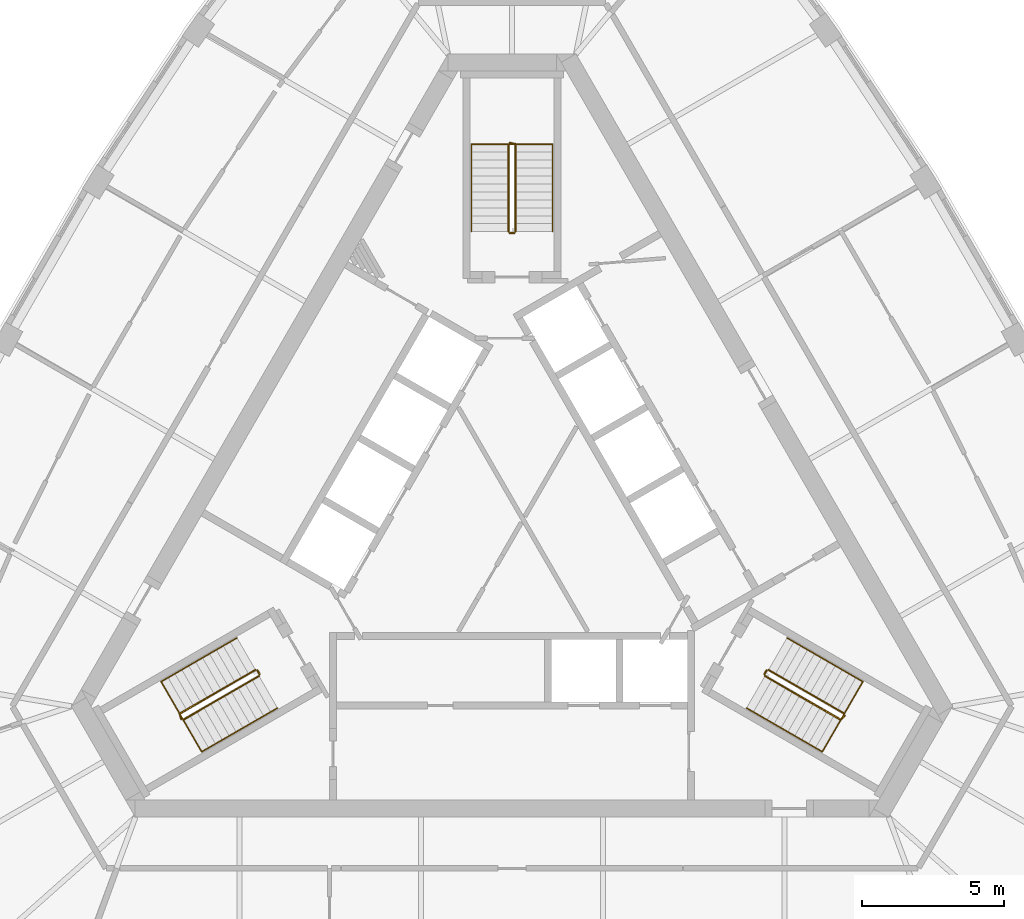
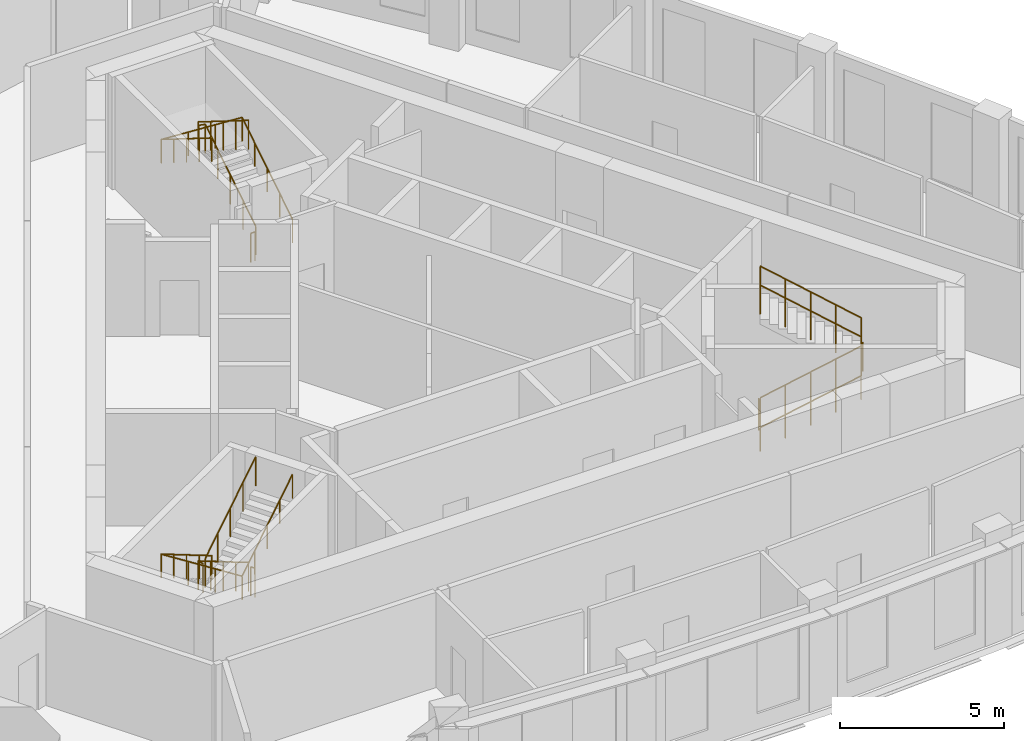
# One storey, part 10 of 10: 12 railings.
"""IFC4 building model written with IfcOpenShell, lengths in metres."""

from ifc_helpers import new_model, si_unit, direction, frame, origin, origin_2d, place, context, subcontext, project, spatial, circle, extrude, material, type_object, element, save


model = new_model("IFC4")

# Units and contexts
model_context = context("Model", 3, precision=1e-05, world=origin(), true_north=direction((0.0, 1.0)))
body_context = subcontext(model_context, "Body", "Model", "MODEL_VIEW")
ifc_project = project(units=[si_unit("LENGTHUNIT", "METRE"), si_unit("AREAUNIT", "SQUARE_METRE"), si_unit("VOLUMEUNIT", "CUBIC_METRE"), si_unit("PLANEANGLEUNIT", "RADIAN"), si_unit("MASSUNIT", "GRAM", prefix="KILO")], contexts=[model_context])

# Site, building, storey
site_placement = place(None, origin())
site = spatial("IfcSite", under=ifc_project, at=site_placement, CompositionType="ELEMENT")
building_placement = place(site_placement, origin())
building = spatial("IfcBuilding", under=site, at=building_placement, Name="Mestral Congress Tower", CompositionType="ELEMENT")
storey_placement = place(building_placement, frame((0.0, 0.0, 279.60009765625)))
storey = spatial("IfcBuildingStorey", under=building, at=storey_placement, Name="L65", CompositionType="ELEMENT", Elevation=279.60009765625)

# Railings
ifc_material_1 = material(Name="Steel balustrade", Category="steel")
railing_type_1 = type_object("IfcRailingType", Name="Stair guard 1100", PredefinedType="GUARDRAIL", material=ifc_material_1)
railing_1_placement = place(storey_placement, frame((8.90087890625, -5.283203125, 0.1748046875)))
element("IfcRailing", 1, at=railing_1_placement, inside=storey, type_object=railing_type_1, Name="L65 ST1 stair guard 1", PredefinedType="GUARDRAIL", context=body_context, shape_type="SweptSolid", body=[
    extrude(circle(Radius=0.02392578125, at=origin_2d()), frame((0.0, 0.0, 1.076171875), z_axis=(0.734364028329, -0.424015404183, 0.530019255228), x_axis=(0.500026652407, 0.866010015463, 0.0)), (0.0, 0.0, 1.0), 3.632080078125),
    extrude(circle(Radius=0.02392578125, at=origin_2d()), frame((2.667236328125, -1.5400390625, 3.0009765625), z_axis=(0.695164929852, 0.718850276695, 0.0), x_axis=(-0.718850276695, 0.695164929852, 0.0)), (0.0, 0.0, 1.0), 0.2060546875),
    extrude(circle(Radius=0.02099609375, at=origin_2d()), origin(), (0.0, 0.0, 1.0), 1.052001953125),
    extrude(circle(Radius=0.02099609375, at=origin_2d()), frame((0.666748046875, -0.385009765625, 0.481201171875)), (0.0, 0.0, 1.0), 1.052001953125),
    extrude(circle(Radius=0.02099609375, at=origin_2d()), frame((1.33349609375, -0.77001953125, 0.96240234375)), (0.0, 0.0, 1.0), 1.052001953125),
    extrude(circle(Radius=0.02099609375, at=origin_2d()), frame((2.00048828125, -1.155029296875, 1.44384765625)), (0.0, 0.0, 1.0), 1.052001953125),
    extrude(circle(Radius=0.02099609375, at=origin_2d()), frame((2.667236328125, -1.5400390625, 1.925048828125)), (0.0, 0.0, 1.0), 1.052001953125),
    extrude(circle(Radius=0.02099609375, at=origin_2d()), frame((2.810546875, -1.391845703125, 1.925048828125)), (0.0, 0.0, 1.0), 1.052001953125),
])
railing_2_placement = place(storey_placement, frame((11.693115234375, -6.606689453125, 2.27490234375)))
element("IfcRailing", 2, at=railing_2_placement, inside=storey, type_object=railing_type_1, Name="L65 ST1 stair guard 2", PredefinedType="GUARDRAIL", context=body_context, shape_type="SweptSolid", body=[
    extrude(circle(Radius=0.02392578125, at=origin_2d()), frame((0.0, 0.0, 1.076171875), z_axis=(-0.734364028329, 0.424015404183, 0.530019255228), x_axis=(-0.500026652407, -0.866010015463, 0.0)), (0.0, 0.0, 1.0), 3.632080078125),
    extrude(circle(Radius=0.02099609375, at=origin_2d()), origin(), (0.0, 0.0, 1.0), 1.052001953125),
    extrude(circle(Radius=0.02099609375, at=origin_2d()), frame((-0.666748046875, 0.385009765625, 0.481201171875)), (0.0, 0.0, 1.0), 1.052001953125),
    extrude(circle(Radius=0.02099609375, at=origin_2d()), frame((-1.33349609375, 0.77001953125, 0.96240234375)), (0.0, 0.0, 1.0), 1.052001953125),
    extrude(circle(Radius=0.02099609375, at=origin_2d()), frame((-2.00048828125, 1.155029296875, 1.44384765625)), (0.0, 0.0, 1.0), 1.052001953125),
    extrude(circle(Radius=0.02099609375, at=origin_2d()), frame((-2.667236328125, 1.5400390625, 1.925048828125)), (0.0, 0.0, 1.0), 1.052001953125),
])
railing_3_placement = place(storey_placement, frame((8.882568359375, -5.21484375, 0.0)))
element("IfcRailing", 3, at=railing_3_placement, inside=storey, type_object=railing_type_1, Name="L65 ST1 stair guard 3", PredefinedType="GUARDRAIL", context=body_context, shape_type="SweptSolid", body=[
    extrude(circle(Radius=0.02392578125, at=origin_2d()), frame((0.0, 0.0, 1.076171875), z_axis=(0.499816412211, 0.866131372301, 0.0), x_axis=(-0.866131372301, 0.499816412211, 0.0)), (0.0, 0.0, 1.0), 0.14990234375),
    extrude(circle(Radius=0.02099609375, at=origin_2d()), origin(), (0.0, 0.0, 1.0), 1.052001953125),
    extrude(circle(Radius=0.02099609375, at=origin_2d()), frame((0.074951171875, 0.1298828125, 0.0)), (0.0, 0.0, 1.0), 1.052001953125),
])
railing_4_placement = place(storey_placement, frame((0.125, 10.35009765625, 0.1748046875)))
element("IfcRailing", 4, at=railing_4_placement, inside=storey, type_object=railing_type_1, Name="L65 ST2 stair guard 1", PredefinedType="GUARDRAIL", context=body_context, shape_type="SweptSolid", body=[
    extrude(circle(Radius=0.02392578125, at=origin_2d()), frame((0.0, 0.0, 1.076171875), z_axis=(0.0, 0.847979421464, 0.530029150871), x_axis=(-1.0, 0.0, 0.0)), (0.0, 0.0, 1.0), 3.632080078125),
    extrude(circle(Radius=0.02392578125, at=origin_2d()), frame((0.0, 3.079833984375, 3.0009765625), z_axis=(-0.970072785993, 0.242814311512, 0.0), x_axis=(-0.242814311512, -0.970072785993, 0.0)), (0.0, 0.0, 1.0), 0.2060546875),
    extrude(circle(Radius=0.02099609375, at=origin_2d()), origin(), (0.0, 0.0, 1.0), 1.052001953125),
    extrude(circle(Radius=0.02099609375, at=origin_2d()), frame((0.0, 0.77001953125, 0.481201171875)), (0.0, 0.0, 1.0), 1.052001953125),
    extrude(circle(Radius=0.02099609375, at=origin_2d()), frame((0.0, 1.5400390625, 0.96240234375)), (0.0, 0.0, 1.0), 1.052001953125),
    extrude(circle(Radius=0.02099609375, at=origin_2d()), frame((0.0, 2.309814453125, 1.44384765625)), (0.0, 0.0, 1.0), 1.052001953125),
    extrude(circle(Radius=0.02099609375, at=origin_2d()), frame((0.0, 3.079833984375, 1.925048828125)), (0.0, 0.0, 1.0), 1.052001953125),
    extrude(circle(Radius=0.02099609375, at=origin_2d()), frame((-0.199951171875, 3.1298828125, 1.925048828125)), (0.0, 0.0, 1.0), 1.052001953125),
])
railing_5_placement = place(storey_placement, frame((-0.125, 13.429931640625, 2.27490234375)))
element("IfcRailing", 5, at=railing_5_placement, inside=storey, type_object=railing_type_1, Name="L65 ST2 stair guard 2", PredefinedType="GUARDRAIL", context=body_context, shape_type="SweptSolid", body=[
    extrude(circle(Radius=0.02392578125, at=origin_2d()), frame((0.0, 0.0, 1.076171875), z_axis=(0.0, -0.847979421464, 0.530029150871), x_axis=(1.0, 0.0, 0.0)), (0.0, 0.0, 1.0), 3.632080078125),
    extrude(circle(Radius=0.02099609375, at=origin_2d()), origin(), (0.0, 0.0, 1.0), 1.052001953125),
    extrude(circle(Radius=0.02099609375, at=origin_2d()), frame((0.0, -0.77001953125, 0.481201171875)), (0.0, 0.0, 1.0), 1.052001953125),
    extrude(circle(Radius=0.02099609375, at=origin_2d()), frame((0.0, -1.5400390625, 0.96240234375)), (0.0, 0.0, 1.0), 1.052001953125),
    extrude(circle(Radius=0.02099609375, at=origin_2d()), frame((0.0, -2.309814453125, 1.44384765625)), (0.0, 0.0, 1.0), 1.052001953125),
    extrude(circle(Radius=0.02099609375, at=origin_2d()), frame((0.0, -3.079833984375, 1.925048828125)), (0.0, 0.0, 1.0), 1.052001953125),
])
railing_6_placement = place(storey_placement, frame((0.074951171875, 10.300048828125, 0.0)))
element("IfcRailing", 6, at=railing_6_placement, inside=storey, type_object=railing_type_1, Name="L65 ST2 stair guard 3", PredefinedType="GUARDRAIL", context=body_context, shape_type="SweptSolid", body=[
    extrude(circle(Radius=0.02392578125, at=origin_2d()), frame((0.0, 0.0, 1.076171875), z_axis=(-1.0, 0.0, 0.0), x_axis=(0.0, -1.0, 0.0)), (0.0, 0.0, 1.0), 0.14990234375),
    extrude(circle(Radius=0.02099609375, at=origin_2d()), origin(), (0.0, 0.0, 1.0), 1.052001953125),
    extrude(circle(Radius=0.02099609375, at=origin_2d()), frame((-0.14990234375, 0.0, 0.0)), (0.0, 0.0, 1.0), 1.052001953125),
])
railing_7_placement = place(storey_placement, frame((-9.02587890625, -5.066650390625, 0.1748046875)))
element("IfcRailing", 7, at=railing_7_placement, inside=storey, type_object=railing_type_1, Name="L65 ST3 stair guard 1", PredefinedType="GUARDRAIL", context=body_context, shape_type="SweptSolid", body=[
    extrude(circle(Radius=0.02392578125, at=origin_2d()), frame((0.0, 0.0, 1.076171875), z_axis=(-0.734364028329, -0.424015404183, 0.530019255228), x_axis=(0.500026652407, -0.866010015463, 0.0)), (0.0, 0.0, 1.0), 3.632080078125),
    extrude(circle(Radius=0.02392578125, at=origin_2d()), frame((-2.667236328125, -1.5400390625, 3.0009765625), z_axis=(0.274721127897, -0.961523947641, 0.0), x_axis=(0.961523947641, 0.274721127897, 0.0)), (0.0, 0.0, 1.0), 0.2060546875),
    extrude(circle(Radius=0.02099609375, at=origin_2d()), origin(), (0.0, 0.0, 1.0), 1.052001953125),
    extrude(circle(Radius=0.02099609375, at=origin_2d()), frame((-0.666748046875, -0.385009765625, 0.481201171875)), (0.0, 0.0, 1.0), 1.052001953125),
    extrude(circle(Radius=0.02099609375, at=origin_2d()), frame((-1.33349609375, -0.77001953125, 0.96240234375)), (0.0, 0.0, 1.0), 1.052001953125),
    extrude(circle(Radius=0.02099609375, at=origin_2d()), frame((-2.00048828125, -1.155029296875, 1.44384765625)), (0.0, 0.0, 1.0), 1.052001953125),
    extrude(circle(Radius=0.02099609375, at=origin_2d()), frame((-2.667236328125, -1.5400390625, 1.925048828125)), (0.0, 0.0, 1.0), 1.052001953125),
    extrude(circle(Radius=0.02099609375, at=origin_2d()), frame((-2.610595703125, -1.73828125, 1.925048828125)), (0.0, 0.0, 1.0), 1.052001953125),
])
railing_8_placement = place(storey_placement, frame((-11.568115234375, -6.8232421875, 2.27490234375)))
element("IfcRailing", 8, at=railing_8_placement, inside=storey, type_object=railing_type_1, Name="L65 ST3 stair guard 2", PredefinedType="GUARDRAIL", context=body_context, shape_type="SweptSolid", body=[
    extrude(circle(Radius=0.02392578125, at=origin_2d()), frame((0.0, 0.0, 1.076171875), z_axis=(0.734364028329, 0.424015404183, 0.530019255228), x_axis=(-0.500026652407, 0.866010015463, 0.0)), (0.0, 0.0, 1.0), 3.632080078125),
    extrude(circle(Radius=0.02099609375, at=origin_2d()), origin(), (0.0, 0.0, 1.0), 1.052001953125),
    extrude(circle(Radius=0.02099609375, at=origin_2d()), frame((0.666748046875, 0.385009765625, 0.481201171875)), (0.0, 0.0, 1.0), 1.052001953125),
    extrude(circle(Radius=0.02099609375, at=origin_2d()), frame((1.33349609375, 0.77001953125, 0.96240234375)), (0.0, 0.0, 1.0), 1.052001953125),
    extrude(circle(Radius=0.02099609375, at=origin_2d()), frame((2.00048828125, 1.155029296875, 1.44384765625)), (0.0, 0.0, 1.0), 1.052001953125),
    extrude(circle(Radius=0.02099609375, at=origin_2d()), frame((2.667236328125, 1.5400390625, 1.925048828125)), (0.0, 0.0, 1.0), 1.052001953125),
])
railing_9_placement = place(storey_placement, frame((-8.95751953125, -5.0849609375, 0.0)))
element("IfcRailing", 9, at=railing_9_placement, inside=storey, type_object=railing_type_1, Name="L65 ST3 stair guard 3", PredefinedType="GUARDRAIL", context=body_context, shape_type="SweptSolid", body=[
    extrude(circle(Radius=0.02392578125, at=origin_2d()), frame((0.0, 0.0, 1.076171875), z_axis=(0.499816412211, -0.866131372301, 0.0), x_axis=(0.866131372301, 0.499816412211, 0.0)), (0.0, 0.0, 1.0), 0.14990234375),
    extrude(circle(Radius=0.02099609375, at=origin_2d()), origin(), (0.0, 0.0, 1.0), 1.052001953125),
    extrude(circle(Radius=0.02099609375, at=origin_2d()), frame((0.074951171875, -0.1298828125, 0.0)), (0.0, 0.0, 1.0), 1.052001953125),
])
ifc_material_2 = material(Name="Steel handrail", Category="steel")
railing_type_2 = type_object("IfcRailingType", Name="Stair handrail 900", PredefinedType="HANDRAIL", material=ifc_material_2)
railing_10_placement = place(storey_placement, frame((8.2509765625, -6.4091796875, 0.1748046875)))
element("IfcRailing", 10, at=railing_10_placement, inside=storey, type_object=railing_type_2, Name="L65 ST1 stair handrail 1", PredefinedType="HANDRAIL", context=body_context, shape_type="SweptSolid", body=[
    extrude(circle(Radius=0.02392578125, at=origin_2d()), frame((0.0, 0.0, 0.8759765625), z_axis=(0.734384958227, -0.423960268333, 0.530034361155), x_axis=(0.499967199496, 0.866044340336, 0.0)), (0.0, 0.0, 1.0), 3.6318359375),
    extrude(circle(Radius=0.02392578125, at=origin_2d()), frame((2.667236328125, -1.539794921875, 2.80078125), z_axis=(0.499095769026, 0.864375386171, 0.061307463833), x_axis=(-0.866004402611, 0.500036373335, 0.0)), (0.0, 0.0, 1.0), 2.855224609375),
    extrude(circle(Radius=0.02392578125, at=origin_2d()), frame((4.09228515625, 0.92822265625, 2.97607421875), z_axis=(-0.734394994316, 0.423994474112, 0.52999309264), x_axis=(-0.499992328818, -0.866029832698, 0.0)), (0.0, 0.0, 1.0), 3.63232421875),
    extrude(circle(Radius=0.02099609375, at=origin_2d()), origin(), (0.0, 0.0, 1.0), 0.851806640625),
    extrude(circle(Radius=0.02099609375, at=origin_2d()), frame((0.666748046875, -0.385009765625, 0.481201171875)), (0.0, 0.0, 1.0), 0.851806640625),
    extrude(circle(Radius=0.02099609375, at=origin_2d()), frame((1.33349609375, -0.77001953125, 0.96240234375)), (0.0, 0.0, 1.0), 0.851806640625),
    extrude(circle(Radius=0.02099609375, at=origin_2d()), frame((2.00048828125, -1.15478515625, 1.44384765625)), (0.0, 0.0, 1.0), 0.851806640625),
    extrude(circle(Radius=0.02099609375, at=origin_2d()), frame((2.667236328125, -1.539794921875, 1.925048828125)), (0.0, 0.0, 1.0), 0.851806640625),
    extrude(circle(Radius=0.02099609375, at=origin_2d()), frame((3.142333984375, -0.717041015625, 1.9833984375)), (0.0, 0.0, 1.0), 0.851806640625),
    extrude(circle(Radius=0.02099609375, at=origin_2d()), frame((3.6171875, 0.10546875, 2.041748046875)), (0.0, 0.0, 1.0), 0.851806640625),
    extrude(circle(Radius=0.02099609375, at=origin_2d()), frame((4.09228515625, 0.92822265625, 2.10009765625)), (0.0, 0.0, 1.0), 0.851806640625),
    extrude(circle(Radius=0.02099609375, at=origin_2d()), frame((3.42529296875, 1.313232421875, 2.581298828125)), (0.0, 0.0, 1.0), 0.851806640625),
    extrude(circle(Radius=0.02099609375, at=origin_2d()), frame((2.758544921875, 1.6982421875, 3.0625)), (0.0, 0.0, 1.0), 0.851806640625),
    extrude(circle(Radius=0.02099609375, at=origin_2d()), frame((2.091796875, 2.083251953125, 3.5439453125)), (0.0, 0.0, 1.0), 0.851806640625),
    extrude(circle(Radius=0.02099609375, at=origin_2d()), frame((1.4248046875, 2.46826171875, 4.025146484375)), (0.0, 0.0, 1.0), 0.851806640625),
])
railing_11_placement = place(storey_placement, frame((1.425048828125, 10.35009765625, 0.1748046875)))
element("IfcRailing", 11, at=railing_11_placement, inside=storey, type_object=railing_type_2, Name="L65 ST2 stair handrail 1", PredefinedType="HANDRAIL", context=body_context, shape_type="SweptSolid", body=[
    extrude(circle(Radius=0.02392578125, at=origin_2d()), frame((0.0, 0.0, 0.8759765625), z_axis=(0.0, 0.847979421464, 0.530029150871), x_axis=(-1.0, 0.0, 0.0)), (0.0, 0.0, 1.0), 3.632080078125),
    extrude(circle(Radius=0.02392578125, at=origin_2d()), frame((0.0, 3.079833984375, 2.80078125), z_axis=(-0.998119201106, 0.0, 0.061303021003), x_axis=(0.0, -1.0, 0.0)), (0.0, 0.0, 1.0), 2.85546875),
    extrude(circle(Radius=0.02392578125, at=origin_2d()), frame((-2.85009765625, 3.079833984375, 2.97607421875), z_axis=(0.0, -0.847979421464, 0.530029150871), x_axis=(1.0, 0.0, 0.0)), (0.0, 0.0, 1.0), 3.632080078125),
    extrude(circle(Radius=0.02099609375, at=origin_2d()), origin(), (0.0, 0.0, 1.0), 0.851806640625),
    extrude(circle(Radius=0.02099609375, at=origin_2d()), frame((0.0, 0.77001953125, 0.481201171875)), (0.0, 0.0, 1.0), 0.851806640625),
    extrude(circle(Radius=0.02099609375, at=origin_2d()), frame((0.0, 1.5400390625, 0.96240234375)), (0.0, 0.0, 1.0), 0.851806640625),
    extrude(circle(Radius=0.02099609375, at=origin_2d()), frame((0.0, 2.309814453125, 1.44384765625)), (0.0, 0.0, 1.0), 0.851806640625),
    extrude(circle(Radius=0.02099609375, at=origin_2d()), frame((0.0, 3.079833984375, 1.925048828125)), (0.0, 0.0, 1.0), 0.851806640625),
    extrude(circle(Radius=0.02099609375, at=origin_2d()), frame((-0.949951171875, 3.079833984375, 1.9833984375)), (0.0, 0.0, 1.0), 0.851806640625),
    extrude(circle(Radius=0.02099609375, at=origin_2d()), frame((-1.900146484375, 3.079833984375, 2.041748046875)), (0.0, 0.0, 1.0), 0.851806640625),
    extrude(circle(Radius=0.02099609375, at=origin_2d()), frame((-2.85009765625, 3.079833984375, 2.10009765625)), (0.0, 0.0, 1.0), 0.851806640625),
    extrude(circle(Radius=0.02099609375, at=origin_2d()), frame((-2.85009765625, 2.309814453125, 2.581298828125)), (0.0, 0.0, 1.0), 0.851806640625),
    extrude(circle(Radius=0.02099609375, at=origin_2d()), frame((-2.85009765625, 1.5400390625, 3.0625)), (0.0, 0.0, 1.0), 0.851806640625),
    extrude(circle(Radius=0.02099609375, at=origin_2d()), frame((-2.85009765625, 0.77001953125, 3.5439453125)), (0.0, 0.0, 1.0), 0.851806640625),
    extrude(circle(Radius=0.02099609375, at=origin_2d()), frame((-2.85009765625, 0.0, 4.025146484375)), (0.0, 0.0, 1.0), 0.851806640625),
])
railing_12_placement = place(storey_placement, frame((-9.67578125, -3.94091796875, 0.1748046875)))
element("IfcRailing", 12, at=railing_12_placement, inside=storey, type_object=railing_type_2, Name="L65 ST3 stair handrail 1", PredefinedType="HANDRAIL", context=body_context, shape_type="SweptSolid", body=[
    extrude(circle(Radius=0.02392578125, at=origin_2d()), frame((0.0, 0.0, 0.8759765625), z_axis=(-0.734394994316, -0.423994474112, 0.52999309264), x_axis=(0.499992328818, -0.866029832698, 0.0)), (0.0, 0.0, 1.0), 3.63232421875),
    extrude(circle(Radius=0.02392578125, at=origin_2d()), frame((-2.66748046875, -1.5400390625, 2.80078125), z_axis=(0.499095769026, -0.864375386171, 0.061307463833), x_axis=(0.866004402611, 0.500036373335, 0.0)), (0.0, 0.0, 1.0), 2.855224609375),
    extrude(circle(Radius=0.02392578125, at=origin_2d()), frame((-1.242431640625, -4.008056640625, 2.97607421875), z_axis=(0.734384958227, 0.423960268333, 0.530034361155), x_axis=(-0.499967199496, 0.866044340336, 0.0)), (0.0, 0.0, 1.0), 3.6318359375),
    extrude(circle(Radius=0.02099609375, at=origin_2d()), origin(), (0.0, 0.0, 1.0), 0.851806640625),
    extrude(circle(Radius=0.02099609375, at=origin_2d()), frame((-0.6669921875, -0.385009765625, 0.481201171875)), (0.0, 0.0, 1.0), 0.851806640625),
    extrude(circle(Radius=0.02099609375, at=origin_2d()), frame((-1.333740234375, -0.77001953125, 0.96240234375)), (0.0, 0.0, 1.0), 0.851806640625),
    extrude(circle(Radius=0.02099609375, at=origin_2d()), frame((-2.00048828125, -1.155029296875, 1.44384765625)), (0.0, 0.0, 1.0), 0.851806640625),
    extrude(circle(Radius=0.02099609375, at=origin_2d()), frame((-2.66748046875, -1.5400390625, 1.925048828125)), (0.0, 0.0, 1.0), 0.851806640625),
    extrude(circle(Radius=0.02099609375, at=origin_2d()), frame((-2.1923828125, -2.36279296875, 1.9833984375)), (0.0, 0.0, 1.0), 0.851806640625),
    extrude(circle(Radius=0.02099609375, at=origin_2d()), frame((-1.717529296875, -3.185302734375, 2.041748046875)), (0.0, 0.0, 1.0), 0.851806640625),
    extrude(circle(Radius=0.02099609375, at=origin_2d()), frame((-1.242431640625, -4.008056640625, 2.10009765625)), (0.0, 0.0, 1.0), 0.851806640625),
    extrude(circle(Radius=0.02099609375, at=origin_2d()), frame((-0.57568359375, -3.623046875, 2.581298828125)), (0.0, 0.0, 1.0), 0.851806640625),
    extrude(circle(Radius=0.02099609375, at=origin_2d()), frame((0.09130859375, -3.23828125, 3.0625)), (0.0, 0.0, 1.0), 0.851806640625),
    extrude(circle(Radius=0.02099609375, at=origin_2d()), frame((0.758056640625, -2.853271484375, 3.5439453125)), (0.0, 0.0, 1.0), 0.851806640625),
    extrude(circle(Radius=0.02099609375, at=origin_2d()), frame((1.4248046875, -2.46826171875, 4.025146484375)), (0.0, 0.0, 1.0), 0.851806640625),
])

save(model, "model.ifc")
